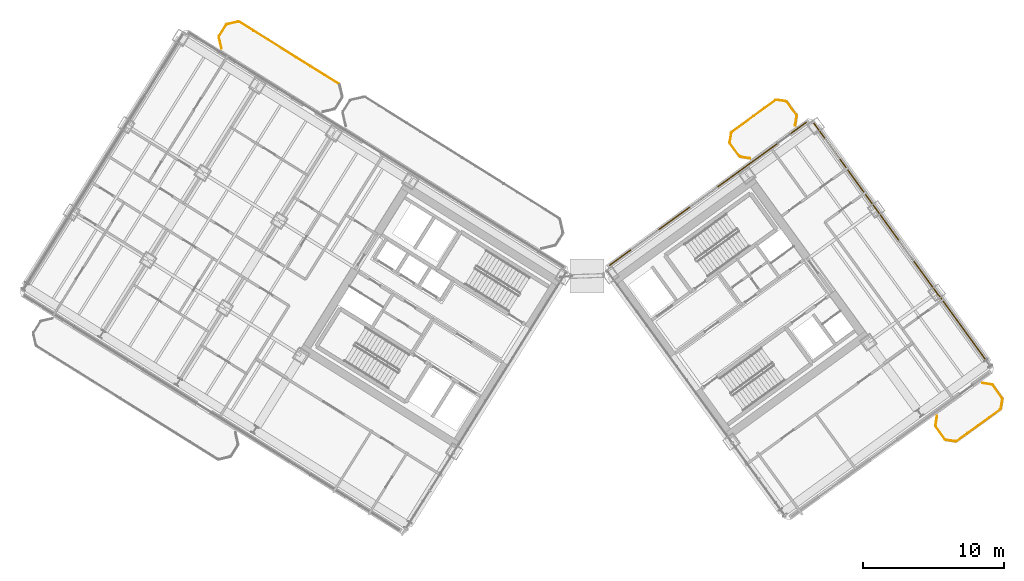
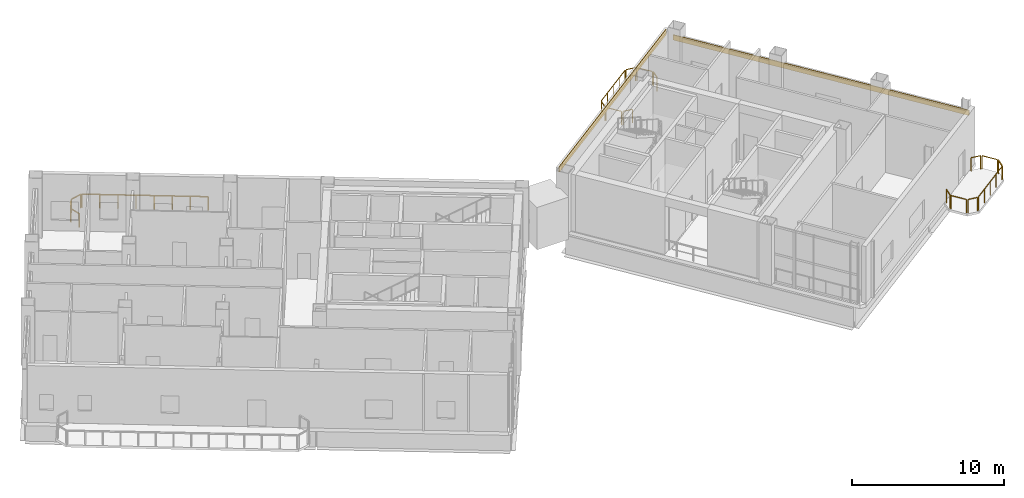
# One storey, part 22 of 22: 18 railings, 2 coverings.
"""IFC4 building model written with IfcOpenShell, lengths in metres."""

from ifc_helpers import new_model, si_unit, direction, frame, origin, origin_2d, place, context, subcontext, project, spatial, rectangle, extrude, source, transform, mapped, material, layer, layer_set, type_object, element, save


model = new_model("IFC4")

# Units and contexts
model_context = context("Model", 3, precision=1e-05, world=origin(), true_north=direction((0.0, 1.0)))
body_context = subcontext(model_context, "Body", "Model", "MODEL_VIEW")
ifc_project = project(units=[si_unit("LENGTHUNIT", "METRE"), si_unit("AREAUNIT", "SQUARE_METRE"), si_unit("VOLUMEUNIT", "CUBIC_METRE"), si_unit("PLANEANGLEUNIT", "RADIAN"), si_unit("MASSUNIT", "GRAM", prefix="KILO")], contexts=[model_context])

# Site, building, storey
site_placement = place(None, origin())
site = spatial("IfcSite", under=ifc_project, at=site_placement, CompositionType="ELEMENT")
building_placement = place(site_placement, origin())
building = spatial("IfcBuilding", under=site, at=building_placement, Name="Tlacorven Tower", CompositionType="ELEMENT")
storey_placement = place(building_placement, frame((0.0, 0.0, 127.800048828125)))
storey = spatial("IfcBuildingStorey", under=building, at=storey_placement, Name="L32", CompositionType="ELEMENT", Elevation=127.800048828125)

# Railings
ifc_material_1 = material(Name="Aluminium and painted steel balustrade", Category="steel")
railing_type = type_object("IfcRailingType", Name="RL-BAL-1100", PredefinedType="BALUSTRADE", material=ifc_material_1)
shared_shape_1 = source(origin(), body_context, "Body", "SweptSolid", [
    extrude(rectangle(XDim=0.048095703125, YDim=0.048095703125, at=origin_2d()), frame((0.0, 0.0, 1.076171875), z_axis=(-0.225058334816, 0.974345290916, 0.0), x_axis=(-0.974345290916, -0.225058334816, 0.0)), (0.0, 0.0, 1.0), 0.80712890625),
    extrude(rectangle(XDim=0.0419921875, YDim=0.0419921875, at=origin_2d()), origin(), (0.0, 0.0, 1.0), 1.052001953125),
    extrude(rectangle(XDim=0.0419921875, YDim=0.0419921875, at=origin_2d()), frame((-0.181640625, 0.786376953125, 0.0)), (0.0, 0.0, 1.0), 1.052001953125),
])
railing_1_placement = place(storey_placement, frame((16.5361328125, 40.68115234375, 0.0)))
element("IfcRailing", 1, at=railing_1_placement, inside=storey, type_object=railing_type, Name="BAL-L32-W-IN Guard Railing 4", PredefinedType="BALUSTRADE", context=body_context, shape_type="MappedRepresentation", body=[
    mapped(shared_shape_1, transform((0.0, 0.0, 0.0), scale=1.0)),
])
shared_shape_2 = source(origin(), body_context, "Body", "SweptSolid", [
    extrude(rectangle(XDim=0.048095703125, YDim=0.048095703125, at=origin_2d()), frame((0.0, 0.0, 1.076171875), z_axis=(0.52987865805, 0.848073468364, 0.0), x_axis=(-0.848073468364, 0.52987865805, 0.0)), (0.0, 0.0, 1.0), 0.912353515625),
    extrude(rectangle(XDim=0.0419921875, YDim=0.0419921875, at=origin_2d()), origin(), (0.0, 0.0, 1.0), 1.052001953125),
    extrude(rectangle(XDim=0.0419921875, YDim=0.0419921875, at=origin_2d()), frame((0.4833984375, 0.773681640625, 0.0)), (0.0, 0.0, 1.0), 1.052001953125),
])
railing_2_placement = place(storey_placement, frame((16.369873046875, 41.55859375, 0.0)))
element("IfcRailing", 2, at=railing_2_placement, inside=storey, type_object=railing_type, Name="BAL-L32-W-IN Guard Railing 5", PredefinedType="BALUSTRADE", context=body_context, shape_type="MappedRepresentation", body=[
    mapped(shared_shape_2, transform((0.0, 0.0, 0.0), scale=1.0)),
])
shared_shape_3 = source(origin(), body_context, "Body", "SweptSolid", [
    extrude(rectangle(XDim=0.048095703125, YDim=0.048095703125, at=origin_2d()), frame((0.0, 0.0, 1.076171875), z_axis=(0.974411586182, 0.224771129628, 0.0), x_axis=(-0.224771129628, 0.974411586182, 0.0)), (0.0, 0.0, 1.0), 0.80712890625),
    extrude(rectangle(XDim=0.0419921875, YDim=0.0419921875, at=origin_2d()), origin(), (0.0, 0.0, 1.0), 1.052001953125),
    extrude(rectangle(XDim=0.0419921875, YDim=0.0419921875, at=origin_2d()), frame((0.786376953125, 0.181396484375, 0.0)), (0.0, 0.0, 1.0), 1.052001953125),
])
railing_3_placement = place(storey_placement, frame((16.928466796875, 42.385986328125, 0.0)))
element("IfcRailing", 3, at=railing_3_placement, inside=storey, type_object=railing_type, Name="BAL-L32-W-IN Guard Railing 6", PredefinedType="BALUSTRADE", context=body_context, shape_type="MappedRepresentation", body=[
    mapped(shared_shape_3, transform((0.0, 0.0, 0.0), scale=1.0)),
])
shared_shape_4 = source(origin(), body_context, "Body", "SweptSolid", [
    extrude(rectangle(XDim=0.048095703125, YDim=0.048095703125, at=origin_2d()), frame((0.0, 0.0, 1.076171875), z_axis=(-0.987661653326, 0.156602868908, 0.0), x_axis=(-0.156602868908, -0.987661653326, 0.0)), (0.0, 0.0, 1.0), 0.665771484375),
    extrude(rectangle(XDim=0.0419921875, YDim=0.0419921875, at=origin_2d()), origin(), (0.0, 0.0, 1.0), 1.052001953125),
    extrude(rectangle(XDim=0.0419921875, YDim=0.0419921875, at=origin_2d()), frame((-0.657470703125, 0.104248046875, 0.0)), (0.0, 0.0, 1.0), 1.052001953125),
])
railing_4_placement = place(storey_placement, frame((68.59521484375, 12.7919921875, 0.0)))
element("IfcRailing", 4, at=railing_4_placement, inside=storey, type_object=railing_type, Name="BAL-L32-E-OUT Guard Railing 1", PredefinedType="BALUSTRADE", context=body_context, shape_type="MappedRepresentation", body=[
    mapped(shared_shape_4, transform((0.0, 0.0, 0.0), scale=1.0)),
])
shared_shape_5 = source(origin(), body_context, "Body", "SweptSolid", [
    extrude(rectangle(XDim=0.048095703125, YDim=0.048095703125, at=origin_2d()), frame((0.0, 0.0, 1.076171875), z_axis=(-0.58788449985, 0.808944877501, 0.0), x_axis=(-0.808944877501, -0.58788449985, 0.0)), (0.0, 0.0, 1.0), 1.112060546875),
    extrude(rectangle(XDim=0.0419921875, YDim=0.0419921875, at=origin_2d()), origin(), (0.0, 0.0, 1.0), 1.052001953125),
    extrude(rectangle(XDim=0.0419921875, YDim=0.0419921875, at=origin_2d()), frame((-0.65380859375, 0.899658203125, 0.0)), (0.0, 0.0, 1.0), 1.052001953125),
])
railing_5_placement = place(storey_placement, frame((67.85888671875, 12.944580078125, 0.0)))
element("IfcRailing", 5, at=railing_5_placement, inside=storey, type_object=railing_type, Name="BAL-L32-E-OUT Guard Railing 2", PredefinedType="BALUSTRADE", context=body_context, shape_type="MappedRepresentation", body=[
    mapped(shared_shape_5, transform((0.0, 0.0, 0.0), scale=1.0)),
])
shared_shape_6 = source(origin(), body_context, "Body", "SweptSolid", [
    extrude(rectangle(XDim=0.048095703125, YDim=0.048095703125, at=origin_2d()), frame((0.0, 0.0, 1.076171875), z_axis=(0.156602868908, 0.987661653326, 0.0), x_axis=(-0.987661653326, 0.156602868908, 0.0)), (0.0, 0.0, 1.0), 0.665771484375),
    extrude(rectangle(XDim=0.0419921875, YDim=0.0419921875, at=origin_2d()), origin(), (0.0, 0.0, 1.0), 1.052001953125),
    extrude(rectangle(XDim=0.0419921875, YDim=0.0419921875, at=origin_2d()), frame((0.104248046875, 0.657470703125, 0.0)), (0.0, 0.0, 1.0), 1.052001953125),
])
railing_6_placement = place(storey_placement, frame((67.18359375, 13.93408203125, 0.0)))
element("IfcRailing", 6, at=railing_6_placement, inside=storey, type_object=railing_type, Name="BAL-L32-E-OUT Guard Railing 3", PredefinedType="BALUSTRADE", context=body_context, shape_type="MappedRepresentation", body=[
    mapped(shared_shape_6, transform((0.0, 0.0, 0.0), scale=1.0)),
])
shared_shape_7 = source(origin(), body_context, "Body", "SweptSolid", [
    extrude(rectangle(XDim=0.048095703125, YDim=0.048095703125, at=origin_2d()), frame((0.0, 0.0, 1.076171875), z_axis=(0.987718317463, -0.156245081039, 0.0), x_axis=(0.156245081039, 0.987718317463, 0.0)), (0.0, 0.0, 1.0), 0.66552734375),
    extrude(rectangle(XDim=0.0419921875, YDim=0.0419921875, at=origin_2d()), origin(), (0.0, 0.0, 1.0), 1.052001953125),
    extrude(rectangle(XDim=0.0419921875, YDim=0.0419921875, at=origin_2d()), frame((0.657470703125, -0.10400390625, 0.0)), (0.0, 0.0, 1.0), 1.052001953125),
])
railing_7_placement = place(storey_placement, frame((70.513916015625, 16.935546875, 0.0)))
element("IfcRailing", 7, at=railing_7_placement, inside=storey, type_object=railing_type, Name="BAL-L32-E-OUT Guard Railing 4", PredefinedType="BALUSTRADE", context=body_context, shape_type="MappedRepresentation", body=[
    mapped(shared_shape_7, transform((0.0, 0.0, 0.0), scale=1.0)),
])
shared_shape_8 = source(origin(), body_context, "Body", "SweptSolid", [
    extrude(rectangle(XDim=0.048095703125, YDim=0.048095703125, at=origin_2d()), frame((0.0, 0.0, 1.076171875), z_axis=(0.58788449985, -0.808944877501, 0.0), x_axis=(0.808944877501, 0.58788449985, 0.0)), (0.0, 0.0, 1.0), 1.112060546875),
    extrude(rectangle(XDim=0.0419921875, YDim=0.0419921875, at=origin_2d()), origin(), (0.0, 0.0, 1.0), 1.052001953125),
    extrude(rectangle(XDim=0.0419921875, YDim=0.0419921875, at=origin_2d()), frame((0.65380859375, -0.899658203125, 0.0)), (0.0, 0.0, 1.0), 1.052001953125),
])
for number, where, name in (
    (8, (71.250244140625, 16.783203125, 0.0), "BAL-L32-E-OUT Guard Railing 5"),
    (9, (56.658447265625, 36.866943359375, 0.0), "BAL-L32-E-IN Guard Railing 6"),
):
    element("IfcRailing", number, at=place(storey_placement, frame(where)), inside=storey, type_object=railing_type, Name=name, PredefinedType="BALUSTRADE", context=body_context, shape_type="MappedRepresentation", body=[
        mapped(shared_shape_8, transform((0.0, 0.0, 0.0), scale=1.0)),
    ])
shared_shape_9 = source(origin(), body_context, "Body", "SweptSolid", [
    extrude(rectangle(XDim=0.048095703125, YDim=0.048095703125, at=origin_2d()), frame((0.0, 0.0, 1.076171875), z_axis=(-0.156188498702, -0.987727266442, 0.0), x_axis=(0.987727266442, -0.156188498702, 0.0)), (0.0, 0.0, 1.0), 0.665771484375),
    extrude(rectangle(XDim=0.0419921875, YDim=0.0419921875, at=origin_2d()), origin(), (0.0, 0.0, 1.0), 1.052001953125),
    extrude(rectangle(XDim=0.0419921875, YDim=0.0419921875, at=origin_2d()), frame((-0.10400390625, -0.65771484375, 0.0)), (0.0, 0.0, 1.0), 1.052001953125),
])
railing_8_placement = place(storey_placement, frame((71.925537109375, 15.793701171875, 0.0)))
element("IfcRailing", 10, at=railing_8_placement, inside=storey, type_object=railing_type, Name="BAL-L32-E-OUT Guard Railing 6", PredefinedType="BALUSTRADE", context=body_context, shape_type="MappedRepresentation", body=[
    mapped(shared_shape_9, transform((0.0, 0.0, 0.0), scale=1.0)),
])
shared_shape_10 = source(origin(), body_context, "Body", "SweptSolid", [
    extrude(rectangle(XDim=0.048095703125, YDim=0.048095703125, at=origin_2d()), frame((0.0, 0.0, 1.076171875), z_axis=(-0.809018102573, -0.587783726986, 0.0), x_axis=(0.587783726986, -0.809018102573, 0.0)), (0.0, 0.0, 1.0), 3.817138671875),
    extrude(rectangle(XDim=0.0419921875, YDim=0.0419921875, at=origin_2d()), origin(), (0.0, 0.0, 1.0), 1.052001953125),
    extrude(rectangle(XDim=0.0419921875, YDim=0.0419921875, at=origin_2d()), frame((-0.77197265625, -0.56103515625, 0.0)), (0.0, 0.0, 1.0), 1.052001953125),
    extrude(rectangle(XDim=0.0419921875, YDim=0.0419921875, at=origin_2d()), frame((-1.5439453125, -1.121826171875, 0.0)), (0.0, 0.0, 1.0), 1.052001953125),
    extrude(rectangle(XDim=0.0419921875, YDim=0.0419921875, at=origin_2d()), frame((-2.316162109375, -1.6826171875, 0.0)), (0.0, 0.0, 1.0), 1.052001953125),
    extrude(rectangle(XDim=0.0419921875, YDim=0.0419921875, at=origin_2d()), frame((-3.088134765625, -2.24365234375, 0.0)), (0.0, 0.0, 1.0), 1.052001953125),
])
railing_9_placement = place(storey_placement, frame((71.773193359375, 15.057373046875, 0.0)))
element("IfcRailing", 11, at=railing_9_placement, inside=storey, type_object=railing_type, Name="BAL-L32-E-OUT Guard Railing 7", PredefinedType="BALUSTRADE", context=body_context, shape_type="MappedRepresentation", body=[
    mapped(shared_shape_10, transform((0.0, 0.0, 0.0), scale=1.0)),
])
shared_shape_11 = source(origin(), body_context, "Body", "SweptSolid", [
    extrude(rectangle(XDim=0.048095703125, YDim=0.048095703125, at=origin_2d()), frame((0.0, 0.0, 1.076171875), z_axis=(-0.987718317463, 0.156245081039, 0.0), x_axis=(-0.156245081039, -0.987718317463, 0.0)), (0.0, 0.0, 1.0), 0.66552734375),
    extrude(rectangle(XDim=0.0419921875, YDim=0.0419921875, at=origin_2d()), origin(), (0.0, 0.0, 1.0), 1.052001953125),
    extrude(rectangle(XDim=0.0419921875, YDim=0.0419921875, at=origin_2d()), frame((-0.657470703125, 0.10400390625, 0.0)), (0.0, 0.0, 1.0), 1.052001953125),
])
railing_10_placement = place(storey_placement, frame((54.00341796875, 32.8759765625, 0.0)))
element("IfcRailing", 12, at=railing_10_placement, inside=storey, type_object=railing_type, Name="BAL-L32-E-IN Guard Railing 1", PredefinedType="BALUSTRADE", context=body_context, shape_type="MappedRepresentation", body=[
    mapped(shared_shape_11, transform((0.0, 0.0, 0.0), scale=1.0)),
])
shared_shape_12 = source(origin(), body_context, "Body", "SweptSolid", [
    extrude(rectangle(XDim=0.048095703125, YDim=0.048095703125, at=origin_2d()), frame((0.0, 0.0, 1.076171875), z_axis=(-0.587740817519, 0.809049276263, 0.0), x_axis=(-0.809049276263, -0.587740817519, 0.0)), (0.0, 0.0, 1.0), 1.112060546875),
    extrude(rectangle(XDim=0.0419921875, YDim=0.0419921875, at=origin_2d()), origin(), (0.0, 0.0, 1.0), 1.052001953125),
    extrude(rectangle(XDim=0.0419921875, YDim=0.0419921875, at=origin_2d()), frame((-0.653564453125, 0.899658203125, 0.0)), (0.0, 0.0, 1.0), 1.052001953125),
])
railing_11_placement = place(storey_placement, frame((53.26708984375, 33.0283203125, 0.0)))
element("IfcRailing", 13, at=railing_11_placement, inside=storey, type_object=railing_type, Name="BAL-L32-E-IN Guard Railing 2", PredefinedType="BALUSTRADE", context=body_context, shape_type="MappedRepresentation", body=[
    mapped(shared_shape_12, transform((0.0, 0.0, 0.0), scale=1.0)),
])
shared_shape_13 = source(origin(), body_context, "Body", "SweptSolid", [
    extrude(rectangle(XDim=0.048095703125, YDim=0.048095703125, at=origin_2d()), frame((0.0, 0.0, 1.076171875), z_axis=(0.156546163506, 0.987670642822, 0.0), x_axis=(-0.987670642822, 0.156546163506, 0.0)), (0.0, 0.0, 1.0), 0.666015625),
    extrude(rectangle(XDim=0.0419921875, YDim=0.0419921875, at=origin_2d()), origin(), (0.0, 0.0, 1.0), 1.052001953125),
    extrude(rectangle(XDim=0.0419921875, YDim=0.0419921875, at=origin_2d()), frame((0.104248046875, 0.65771484375, 0.0)), (0.0, 0.0, 1.0), 1.052001953125),
])
railing_12_placement = place(storey_placement, frame((52.591796875, 34.017822265625, 0.0)))
element("IfcRailing", 14, at=railing_12_placement, inside=storey, type_object=railing_type, Name="BAL-L32-E-IN Guard Railing 3", PredefinedType="BALUSTRADE", context=body_context, shape_type="MappedRepresentation", body=[
    mapped(shared_shape_13, transform((0.0, 0.0, 0.0), scale=1.0)),
])
shared_shape_14 = source(origin(), body_context, "Body", "SweptSolid", [
    extrude(rectangle(XDim=0.048095703125, YDim=0.048095703125, at=origin_2d()), frame((0.0, 0.0, 1.076171875), z_axis=(0.809040198054, 0.587753313843, 0.0), x_axis=(-0.587753313843, 0.809040198054, 0.0)), (0.0, 0.0, 1.0), 3.8173828125),
    extrude(rectangle(XDim=0.0419921875, YDim=0.0419921875, at=origin_2d()), origin(), (0.0, 0.0, 1.0), 1.052001953125),
    extrude(rectangle(XDim=0.0419921875, YDim=0.0419921875, at=origin_2d()), frame((0.77197265625, 0.56103515625, 0.0)), (0.0, 0.0, 1.0), 1.052001953125),
    extrude(rectangle(XDim=0.0419921875, YDim=0.0419921875, at=origin_2d()), frame((1.544189453125, 1.121826171875, 0.0)), (0.0, 0.0, 1.0), 1.052001953125),
    extrude(rectangle(XDim=0.0419921875, YDim=0.0419921875, at=origin_2d()), frame((2.31640625, 1.6826171875, 0.0)), (0.0, 0.0, 1.0), 1.052001953125),
    extrude(rectangle(XDim=0.0419921875, YDim=0.0419921875, at=origin_2d()), frame((3.08837890625, 2.24365234375, 0.0)), (0.0, 0.0, 1.0), 1.052001953125),
])
railing_13_placement = place(storey_placement, frame((52.744140625, 34.754150390625, 0.0)))
element("IfcRailing", 15, at=railing_13_placement, inside=storey, type_object=railing_type, Name="BAL-L32-E-IN Guard Railing 4", PredefinedType="BALUSTRADE", context=body_context, shape_type="MappedRepresentation", body=[
    mapped(shared_shape_14, transform((0.0, 0.0, 0.0), scale=1.0)),
])
shared_shape_15 = source(origin(), body_context, "Body", "SweptSolid", [
    extrude(rectangle(XDim=0.048095703125, YDim=0.048095703125, at=origin_2d()), frame((0.0, 0.0, 1.076171875), z_axis=(0.987670642822, -0.156546163506, 0.0), x_axis=(0.156546163506, 0.987670642822, 0.0)), (0.0, 0.0, 1.0), 0.666015625),
    extrude(rectangle(XDim=0.0419921875, YDim=0.0419921875, at=origin_2d()), origin(), (0.0, 0.0, 1.0), 1.052001953125),
    extrude(rectangle(XDim=0.0419921875, YDim=0.0419921875, at=origin_2d()), frame((0.65771484375, -0.104248046875, 0.0)), (0.0, 0.0, 1.0), 1.052001953125),
])
railing_14_placement = place(storey_placement, frame((55.922119140625, 37.01953125, 0.0)))
element("IfcRailing", 16, at=railing_14_placement, inside=storey, type_object=railing_type, Name="BAL-L32-E-IN Guard Railing 5", PredefinedType="BALUSTRADE", context=body_context, shape_type="MappedRepresentation", body=[
    mapped(shared_shape_15, transform((0.0, 0.0, 0.0), scale=1.0)),
])
shared_shape_16 = source(origin(), body_context, "Body", "SweptSolid", [
    extrude(rectangle(XDim=0.048095703125, YDim=0.048095703125, at=origin_2d()), frame((0.0, 0.0, 1.076171875), z_axis=(-0.156245081039, -0.987718317463, 0.0), x_axis=(0.987718317463, -0.156245081039, 0.0)), (0.0, 0.0, 1.0), 0.66552734375),
    extrude(rectangle(XDim=0.0419921875, YDim=0.0419921875, at=origin_2d()), origin(), (0.0, 0.0, 1.0), 1.052001953125),
    extrude(rectangle(XDim=0.0419921875, YDim=0.0419921875, at=origin_2d()), frame((-0.10400390625, -0.657470703125, 0.0)), (0.0, 0.0, 1.0), 1.052001953125),
])
railing_15_placement = place(storey_placement, frame((57.333740234375, 35.87744140625, 0.0)))
element("IfcRailing", 17, at=railing_15_placement, inside=storey, type_object=railing_type, Name="BAL-L32-E-IN Guard Railing 7", PredefinedType="BALUSTRADE", context=body_context, shape_type="MappedRepresentation", body=[
    mapped(shared_shape_16, transform((0.0, 0.0, 0.0), scale=1.0)),
])

# Coverings
ifc_material_2 = material(Name="Precast concrete C45/55", Category="concrete")
ifc_layer = layer(ifc_material_2, 0.06005859375)
ifc_layer_set = layer_set([ifc_layer], Name="Precast concrete C45/55")
covering_type = type_object("IfcCoveringType", Name="CV-CLD-TERC", PredefinedType="CLADDING", material=ifc_layer_set)
shared_shape_17 = source(origin(), body_context, "Body", "SweptSolid", [
    extrude(rectangle(XDim=21.287353515625, YDim=0.06005859375, at=origin_2d()), origin(), (0.0, 0.0, 1.0), 0.419921875),
])
covering_1_placement = place(storey_placement, frame((64.799072265625, 26.75146484375, 3.554931640625), z_axis=(0.0, 0.0, 1.0), x_axis=(0.587785363163, -0.809016913823, 0.0)))
element("IfcCovering", 18, at=covering_1_placement, inside=storey, type_object=covering_type, Name="L32 Masonry-Frame Spandrel Cladding 5", PredefinedType="CLADDING", context=body_context, shape_type="MappedRepresentation", body=[
    mapped(shared_shape_17, transform((0.0, 0.0, 0.0), scale=1.0)),
])
shared_shape_18 = source(origin(), body_context, "Body", "SweptSolid", [
    extrude(rectangle(XDim=17.287353515625, YDim=0.06005859375, at=origin_2d()), origin(), (0.0, 0.0, 1.0), 0.419921875),
])
covering_2_placement = place(storey_placement, frame((51.05224609375, 30.360595703125, 4.1298828125), z_axis=(0.0, 0.0, 1.0), x_axis=(0.809017097486, 0.587785110372, 0.0)))
element("IfcCovering", 19, at=covering_2_placement, inside=storey, type_object=covering_type, Name="L32 Masonry-Frame Spandrel Cladding 4", PredefinedType="CLADDING", context=body_context, shape_type="MappedRepresentation", body=[
    mapped(shared_shape_18, transform((0.0, 0.0, 0.0), scale=1.0)),
])

# Railing
shared_shape_19 = source(origin(), body_context, "Body", "SweptSolid", [
    extrude(rectangle(XDim=0.048095703125, YDim=0.048095703125, at=origin_2d()), frame((0.0, 0.0, 1.076171875), z_axis=(0.848049421171, -0.529917143761, 0.0), x_axis=(0.529917143761, 0.848049421171, 0.0)), (0.0, 0.0, 1.0), 8.3173828125),
    extrude(rectangle(XDim=0.0419921875, YDim=0.0419921875, at=origin_2d()), origin(), (0.0, 0.0, 1.0), 1.052001953125),
    extrude(rectangle(XDim=0.0419921875, YDim=0.0419921875, at=origin_2d()), frame((1.007568359375, -0.629638671875, 0.0)), (0.0, 0.0, 1.0), 1.052001953125),
    extrude(rectangle(XDim=0.0419921875, YDim=0.0419921875, at=origin_2d()), frame((2.015380859375, -1.25927734375, 0.0)), (0.0, 0.0, 1.0), 1.052001953125),
    extrude(rectangle(XDim=0.0419921875, YDim=0.0419921875, at=origin_2d()), frame((3.02294921875, -1.888916015625, 0.0)), (0.0, 0.0, 1.0), 1.052001953125),
    extrude(rectangle(XDim=0.0419921875, YDim=0.0419921875, at=origin_2d()), frame((4.030517578125, -2.5185546875, 0.0)), (0.0, 0.0, 1.0), 1.052001953125),
    extrude(rectangle(XDim=0.0419921875, YDim=0.0419921875, at=origin_2d()), frame((5.0380859375, -3.148193359375, 0.0)), (0.0, 0.0, 1.0), 1.052001953125),
    extrude(rectangle(XDim=0.0419921875, YDim=0.0419921875, at=origin_2d()), frame((6.0458984375, -3.77783203125, 0.0)), (0.0, 0.0, 1.0), 1.052001953125),
    extrude(rectangle(XDim=0.0419921875, YDim=0.0419921875, at=origin_2d()), frame((7.053466796875, -4.407470703125, 0.0)), (0.0, 0.0, 1.0), 1.052001953125),
])
railing_16_placement = place(storey_placement, frame((17.805908203125, 42.55224609375, 0.0)))
element("IfcRailing", 20, at=railing_16_placement, inside=storey, type_object=railing_type, Name="BAL-L32-W-IN Guard Railing 7", PredefinedType="BALUSTRADE", context=body_context, shape_type="MappedRepresentation", body=[
    mapped(shared_shape_19, transform((0.0, 0.0, 0.0), scale=1.0)),
])

save(model, "model.ifc")
